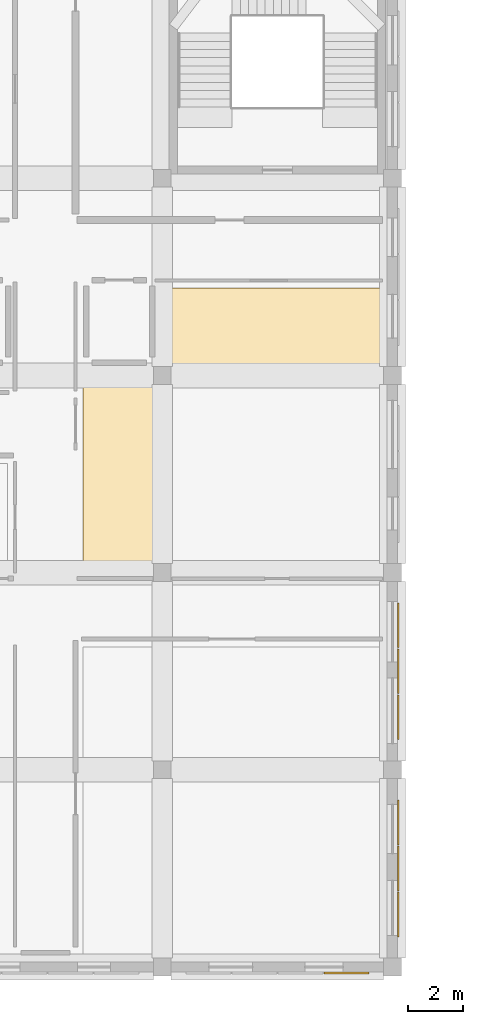
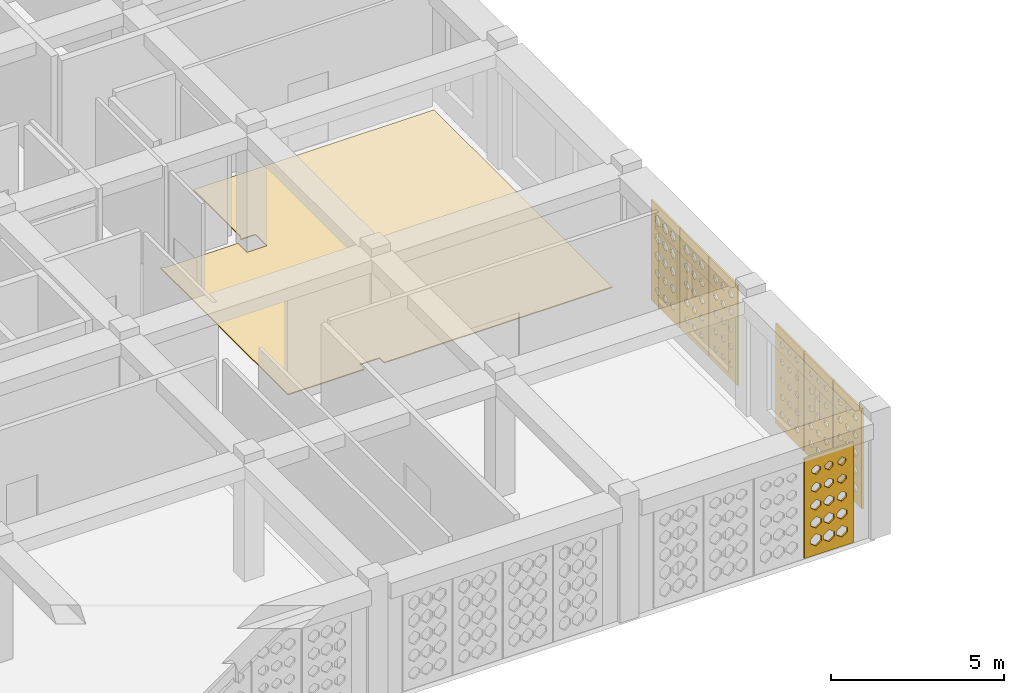
# One storey, part 23 of 47: 8 coverings.
"""IFC4 building model written with IfcOpenShell, lengths in metres."""

from ifc_helpers import new_model, si_unit, derived_unit, direction, frame, origin, place, context, subcontext, project, spatial, polyline, outline, extrude, material, layer, layer_set, type_object, element, save


model = new_model("IFC4")

# Units and contexts
model_context = context("Model", 3, precision=1e-05, world=origin(), true_north=direction((0.0, 1.0)))
body_context = subcontext(model_context, "Body", "Model", "MODEL_VIEW")
ifc_project = project(units=[si_unit("LENGTHUNIT", "METRE"), si_unit("AREAUNIT", "SQUARE_METRE"), si_unit("VOLUMEUNIT", "CUBIC_METRE"), si_unit("PLANEANGLEUNIT", "RADIAN"), si_unit("MASSUNIT", "GRAM", prefix="KILO"), derived_unit("THERMALTRANSMITTANCEUNIT", [(si_unit("POWERUNIT", "WATT"), 1), (si_unit("LENGTHUNIT", "METRE"), -2), (si_unit("THERMODYNAMICTEMPERATUREUNIT", "KELVIN"), -1)])], contexts=[model_context])

# Site, building, storey
site_placement = place(None, origin())
site = spatial("IfcSite", under=ifc_project, at=site_placement, CompositionType="ELEMENT")
building_placement = place(site_placement, origin())
building = spatial("IfcBuilding", under=site, at=building_placement, Name="Veybourne Emporium", CompositionType="ELEMENT")
storey_placement = place(building_placement, frame((0.0, 0.0, 23.39990234375)))
storey = spatial("IfcBuildingStorey", under=building, at=storey_placement, Name="L05", CompositionType="ELEMENT", Elevation=23.39990234375)

# Coverings
ifc_material_1 = material(Name="European Oak Parquet", Category="wood")
ifc_layer_1 = layer(ifc_material_1, 0.034912109375)
ifc_layer_set_1 = layer_set([ifc_layer_1], Name="European Oak Parquet")
covering_type_1 = type_object("IfcCoveringType", Name="Flooring_FLR-02", PredefinedType="FLOORING", material=ifc_layer_set_1)
covering_1_placement = place(storey_placement, origin())
element("IfcCovering", 1, at=covering_1_placement, inside=storey, type_object=covering_type_1, Name="L05 floor finish 06", PredefinedType="FLOORING", context=body_context, shape_type="SweptSolid", body=[
    extrude(outline(polyline([(39.121826171875, 21.83740234375), (39.13916015625, 21.828125), (39.1533203125, 21.8212890625), (39.17138671875, 21.81396484375), (39.18603515625, 21.80859375), (39.204833984375, 21.802978515625), (39.22021484375, 21.799072265625), (39.239501953125, 21.795166015625), (39.255126953125, 21.79296875), (39.2744140625, 21.791015625), (39.290283203125, 21.790283203125), (39.300048828125, 21.7900390625), (41.550048828125, 21.7900390625), (41.559814453125, 21.790283203125), (41.575439453125, 21.791015625), (41.594970703125, 21.79296875), (41.610595703125, 21.795166015625), (41.6298828125, 21.799072265625), (41.64501953125, 21.802978515625), (41.663818359375, 21.80859375), (41.669921875, 21.810791015625), (41.669921875, 21.27001953125), (42.330078125, 21.27001953125), (42.330078125, 21.929931640625), (41.834716796875, 21.929931640625), (41.84375, 21.94189453125), (41.8544921875, 21.958251953125), (41.86279296875, 21.9716796875), (41.871826171875, 21.989013671875), (41.878662109375, 22.003173828125), (41.88623046875, 22.021484375), (41.891357421875, 22.0361328125), (41.897216796875, 22.054931640625), (41.90087890625, 22.070068359375), (41.90478515625, 22.089599609375), (41.906982421875, 22.10498046875), (41.908935546875, 22.12451171875), (41.90966796875, 22.14013671875), (41.909912109375, 22.14990234375), (41.909912109375, 24.7900390625), (49.9599609375, 24.7900390625), (49.9599609375, 14.4599609375), (42.330078125, 14.4599609375), (42.330078125, 14.72998046875), (41.669921875, 14.72998046875), (41.669921875, 14.4599609375), (39.110107421875, 14.4599609375), (39.110107421875, 21.844482421875), (39.121826171875, 21.83740234375)])), origin(), (0.0, 0.0, 1.0), 0.03515625),
])
ifc_material_2 = material(Name="Warm-White Perforated Aluminium Screen Alloy", Category="aluminium")
ifc_layer_2 = layer(ifc_material_2, 0.06005859375)
ifc_layer_set_2 = layer_set([ifc_layer_2], Name="Warm-White Perforated Aluminium Screen Alloy")
covering_type_2 = type_object("IfcCoveringType", Name="WaveScreen_SCR-01", PredefinedType="CLADDING", material=ifc_layer_set_2)
covering_2_placement = place(storey_placement, frame((48.719970703125, -0.248046875, 1.830078125), z_axis=(0.0, 1.0, 0.0), x_axis=(-1.0, 0.0, 0.0)))
element("IfcCovering", 2, at=covering_2_placement, inside=storey, type_object=covering_type_2, Name="L05 wave-perforated aluminium screen SCR-01 (26.1)", PredefinedType="CLADDING", context=body_context, shape_type="SweptSolid", body=[
    extrude(outline(polyline([(-0.81982421875, -1.77001953125), (0.81982421875, -1.77001953125), (0.81982421875, 1.77001953125), (-0.81982421875, 1.77001953125), (-0.81982421875, -1.77001953125)]), holes=[polyline([(-0.433349609375, -1.032470703125), (-0.253662109375, -1.165283203125), (-0.253662109375, -1.314697265625), (-0.433349609375, -1.447509765625), (-0.613037109375, -1.314697265625), (-0.613037109375, -1.165283203125), (-0.433349609375, -1.032470703125)]), polyline([(-0.433349609375, -0.4267578125), (-0.26513671875, -0.55029296875), (-0.26513671875, -0.689697265625), (-0.433349609375, -0.813232421875), (-0.601318359375, -0.689697265625), (-0.601318359375, -0.55029296875), (-0.433349609375, -0.4267578125)]), polyline([(-0.433349609375, 0.178955078125), (-0.27685546875, 0.064453125), (-0.27685546875, -0.064453125), (-0.433349609375, -0.178955078125), (-0.58984375, -0.064453125), (-0.58984375, 0.064453125), (-0.433349609375, 0.178955078125)]), polyline([(-0.433349609375, 0.78515625), (-0.2880859375, 0.679443359375), (-0.2880859375, 0.560546875), (-0.433349609375, 0.454833984375), (-0.578369140625, 0.560546875), (-0.578369140625, 0.679443359375), (-0.433349609375, 0.78515625)]), polyline([(-0.433349609375, 1.39208984375), (-0.298828125, 1.294677734375), (-0.298828125, 1.185302734375), (-0.433349609375, 1.087890625), (-0.56787109375, 1.185302734375), (-0.56787109375, 1.294677734375), (-0.433349609375, 1.39208984375)]), polyline([(0.0, -1.0263671875), (0.184814453125, -1.1630859375), (0.184814453125, -1.31689453125), (0.0, -1.45361328125), (-0.184814453125, -1.31689453125), (-0.184814453125, -1.1630859375), (0.0, -1.0263671875)]), polyline([(0.0, -0.42041015625), (0.17333984375, -0.548095703125), (0.17333984375, -0.69189453125), (0.0, -0.819580078125), (-0.17333984375, -0.69189453125), (-0.17333984375, -0.548095703125), (0.0, -0.42041015625)]), polyline([(0.0, 0.185302734375), (0.16162109375, 0.066650390625), (0.16162109375, -0.066650390625), (0.0, -0.185302734375), (-0.16162109375, -0.066650390625), (-0.16162109375, 0.066650390625), (0.0, 0.185302734375)]), polyline([(0.0, 0.791259765625), (0.150146484375, 0.681640625), (0.150146484375, 0.558349609375), (0.0, 0.44873046875), (-0.150146484375, 0.558349609375), (-0.150146484375, 0.681640625), (0.0, 0.791259765625)]), polyline([(0.0, 1.397705078125), (0.13916015625, 1.296875), (0.13916015625, 1.18310546875), (0.0, 1.082275390625), (-0.13916015625, 1.18310546875), (-0.13916015625, 1.296875), (0.0, 1.397705078125)]), polyline([(0.433349609375, -1.02001953125), (0.61962890625, -1.160888671875), (0.61962890625, -1.319091796875), (0.433349609375, -1.4599609375), (0.2470703125, -1.319091796875), (0.2470703125, -1.160888671875), (0.433349609375, -1.02001953125)]), polyline([(0.433349609375, -0.4140625), (0.61181640625, -0.5458984375), (0.61181640625, -0.694091796875), (0.433349609375, -0.825927734375), (0.2548828125, -0.694091796875), (0.2548828125, -0.5458984375), (0.433349609375, -0.4140625)]), polyline([(0.433349609375, 0.19189453125), (0.60009765625, 0.069091796875), (0.60009765625, -0.069091796875), (0.433349609375, -0.19189453125), (0.266357421875, -0.069091796875), (0.266357421875, 0.069091796875), (0.433349609375, 0.19189453125)]), polyline([(0.433349609375, 0.797607421875), (0.588623046875, 0.683837890625), (0.588623046875, 0.55615234375), (0.433349609375, 0.4423828125), (0.278076171875, 0.55615234375), (0.278076171875, 0.683837890625), (0.433349609375, 0.797607421875)]), polyline([(0.433349609375, 1.40380859375), (0.577392578125, 1.298828125), (0.577392578125, 1.18115234375), (0.433349609375, 1.076416015625), (0.289306640625, 1.18115234375), (0.289306640625, 1.298828125), (0.433349609375, 1.40380859375)])]), origin(), (0.0, 0.0, 1.0), 0.06005859375),
])
covering_3_placement = place(storey_placement, frame((50.64794921875, 9.1201171875, 1.830078125), z_axis=(-1.0, 0.0, 0.0), x_axis=(0.0, -1.0, 0.0)))
element("IfcCovering", 3, at=covering_3_placement, inside=storey, type_object=covering_type_2, Name="L05 wave-perforated aluminium screen SCR-01 (28.3)", PredefinedType="CLADDING", context=body_context, shape_type="SweptSolid", body=[
    extrude(outline(polyline([(-0.81982421875, -1.77001953125), (0.81982421875, -1.77001953125), (0.81982421875, 1.77001953125), (-0.81982421875, 1.77001953125), (-0.81982421875, -1.77001953125)]), holes=[polyline([(-0.433349609375, -1.126953125), (-0.330810546875, -1.19921875), (-0.330810546875, -1.28076171875), (-0.433349609375, -1.35302734375), (-0.535888671875, -1.28076171875), (-0.535888671875, -1.19921875), (-0.433349609375, -1.126953125)]), polyline([(-0.433349609375, -0.501953125), (-0.326904296875, -0.577392578125), (-0.326904296875, -0.66259765625), (-0.433349609375, -0.738037109375), (-0.539794921875, -0.66259765625), (-0.539794921875, -0.577392578125), (-0.433349609375, -0.501953125)]), polyline([(-0.433349609375, 0.125244140625), (-0.32080078125, 0.045166015625), (-0.32080078125, -0.045166015625), (-0.433349609375, -0.125244140625), (-0.5458984375, -0.045166015625), (-0.5458984375, 0.045166015625), (-0.433349609375, 0.125244140625)]), polyline([(-0.433349609375, 0.75439453125), (-0.313232421875, 0.66845703125), (-0.313232421875, 0.571533203125), (-0.433349609375, 0.485595703125), (-0.55322265625, 0.571533203125), (-0.55322265625, 0.66845703125), (-0.433349609375, 0.75439453125)]), polyline([(-0.433349609375, 1.385498046875), (-0.30419921875, 1.29248046875), (-0.30419921875, 1.1875), (-0.433349609375, 1.094482421875), (-0.562255859375, 1.1875), (-0.562255859375, 1.29248046875), (-0.433349609375, 1.385498046875)]), polyline([(0.0, -1.12841796875), (0.101318359375, -1.199951171875), (0.101318359375, -1.280029296875), (0.0, -1.3515625), (-0.101318359375, -1.280029296875), (-0.101318359375, -1.199951171875), (0.0, -1.12841796875)]), polyline([(0.0, -0.504638671875), (0.1044921875, -0.578369140625), (0.1044921875, -0.66162109375), (0.0, -0.7353515625), (-0.1044921875, -0.66162109375), (-0.1044921875, -0.578369140625), (0.0, -0.504638671875)]), polyline([(0.0, 0.12158203125), (0.109619140625, 0.043701171875), (0.109619140625, -0.043701171875), (0.0, -0.12158203125), (-0.109619140625, -0.043701171875), (-0.109619140625, 0.043701171875), (0.0, 0.12158203125)]), polyline([(0.0, 0.75), (0.116455078125, 0.666748046875), (0.116455078125, 0.5732421875), (0.0, 0.489990234375), (-0.116455078125, 0.5732421875), (-0.116455078125, 0.666748046875), (0.0, 0.75)]), polyline([(0.0, 1.38037109375), (0.124755859375, 1.29052734375), (0.124755859375, 1.189453125), (0.0, 1.099609375), (-0.124755859375, 1.189453125), (-0.124755859375, 1.29052734375), (0.0, 1.38037109375)]), polyline([(0.433349609375, -1.12939453125), (0.53369140625, -1.2001953125), (0.53369140625, -1.27978515625), (0.433349609375, -1.3505859375), (0.3330078125, -1.27978515625), (0.3330078125, -1.2001953125), (0.433349609375, -1.12939453125)]), polyline([(0.433349609375, -0.506591796875), (0.5361328125, -0.5791015625), (0.5361328125, -0.660888671875), (0.433349609375, -0.7333984375), (0.33056640625, -0.660888671875), (0.33056640625, -0.5791015625), (0.433349609375, -0.506591796875)]), polyline([(0.433349609375, 0.11865234375), (0.540283203125, 0.042724609375), (0.540283203125, -0.042724609375), (0.433349609375, -0.11865234375), (0.326416015625, -0.042724609375), (0.326416015625, 0.042724609375), (0.433349609375, 0.11865234375)]), polyline([(0.433349609375, 0.74609375), (0.54638671875, 0.665283203125), (0.54638671875, 0.57470703125), (0.433349609375, 0.493896484375), (0.3203125, 0.57470703125), (0.3203125, 0.665283203125), (0.433349609375, 0.74609375)]), polyline([(0.433349609375, 1.37548828125), (0.55419921875, 1.288818359375), (0.55419921875, 1.191162109375), (0.433349609375, 1.1044921875), (0.3125, 1.191162109375), (0.3125, 1.288818359375), (0.433349609375, 1.37548828125)])]), origin(), (0.0, 0.0, 1.0), 0.06005859375),
])
ifc_layer_3 = layer(ifc_material_2, 0.06005859375)
ifc_layer_set_3 = layer_set([ifc_layer_3], Name="Warm-White Perforated Aluminium Screen Alloy")
covering_type_3 = type_object("IfcCoveringType", Name="WaveScreen_SCR-02", PredefinedType="CLADDING", material=ifc_layer_set_3)
covering_4_placement = place(storey_placement, frame((50.64794921875, 5.280029296875, 1.830078125), z_axis=(-1.0, 0.0, 0.0), x_axis=(0.0, -1.0, 0.0)))
element("IfcCovering", 4, at=covering_4_placement, inside=storey, type_object=covering_type_3, Name="L05 wave-perforated aluminium screen SCR-02 (27.1)", PredefinedType="CLADDING", context=body_context, shape_type="SweptSolid", body=[
    extrude(outline(polyline([(-0.81982421875, -1.77001953125), (0.81982421875, -1.77001953125), (0.81982421875, 1.77001953125), (-0.81982421875, 1.77001953125), (-0.81982421875, -1.77001953125)]), holes=[polyline([(-0.433349609375, -1.122802734375), (-0.327392578125, -1.19775390625), (-0.327392578125, -1.2822265625), (-0.433349609375, -1.357177734375), (-0.539306640625, -1.2822265625), (-0.539306640625, -1.19775390625), (-0.433349609375, -1.122802734375)]), polyline([(-0.433349609375, -0.507568359375), (-0.331298828125, -0.57958984375), (-0.331298828125, -0.660400390625), (-0.433349609375, -0.732421875), (-0.535400390625, -0.660400390625), (-0.535400390625, -0.57958984375), (-0.433349609375, -0.507568359375)]), polyline([(-0.433349609375, 0.110107421875), (-0.3330078125, 0.039794921875), (-0.3330078125, -0.039794921875), (-0.433349609375, -0.110107421875), (-0.533447265625, -0.039794921875), (-0.533447265625, 0.039794921875), (-0.433349609375, 0.110107421875)]), polyline([(-0.433349609375, 0.73046875), (-0.3330078125, 0.65966796875), (-0.3330078125, 0.580322265625), (-0.433349609375, 0.509521484375), (-0.53369140625, 0.580322265625), (-0.53369140625, 0.65966796875), (-0.433349609375, 0.73046875)]), polyline([(-0.433349609375, 1.35302734375), (-0.330810546875, 1.28076171875), (-0.330810546875, 1.19921875), (-0.433349609375, 1.126953125), (-0.535888671875, 1.19921875), (-0.535888671875, 1.28076171875), (-0.433349609375, 1.35302734375)]), polyline([(0.0, -1.119873046875), (0.1083984375, -1.19677734375), (0.1083984375, -1.283203125), (0.0, -1.360107421875), (-0.1083984375, -1.283203125), (-0.1083984375, -1.19677734375), (0.0, -1.119873046875)]), polyline([(0.0, -0.505615234375), (0.103515625, -0.578857421875), (0.103515625, -0.6611328125), (0.0, -0.734375), (-0.103515625, -0.6611328125), (-0.103515625, -0.578857421875), (0.0, -0.505615234375)]), polyline([(0.0, 0.111083984375), (0.100830078125, 0.039794921875), (0.100830078125, -0.039794921875), (0.0, -0.111083984375), (-0.100830078125, -0.039794921875), (-0.100830078125, 0.039794921875), (0.0, 0.111083984375)]), polyline([(0.0, 0.72998046875), (0.10009765625, 0.65966796875), (0.10009765625, 0.580322265625), (0.0, 0.510009765625), (-0.10009765625, 0.580322265625), (-0.10009765625, 0.65966796875), (0.0, 0.72998046875)]), polyline([(0.0, 1.3515625), (0.101318359375, 1.2802734375), (0.101318359375, 1.19970703125), (0.0, 1.12841796875), (-0.101318359375, 1.19970703125), (-0.101318359375, 1.2802734375), (0.0, 1.3515625)]), polyline([(0.433349609375, -1.11669921875), (0.544189453125, -1.195556640625), (0.544189453125, -1.284423828125), (0.433349609375, -1.36328125), (0.322509765625, -1.284423828125), (0.322509765625, -1.195556640625), (0.433349609375, -1.11669921875)]), polyline([(0.433349609375, -0.50341796875), (0.538818359375, -0.577880859375), (0.538818359375, -0.662109375), (0.433349609375, -0.73681640625), (0.327880859375, -0.662109375), (0.327880859375, -0.577880859375), (0.433349609375, -0.50341796875)]), polyline([(0.433349609375, 0.1123046875), (0.53515625, 0.040283203125), (0.53515625, -0.040283203125), (0.433349609375, -0.1123046875), (0.33154296875, -0.040283203125), (0.33154296875, 0.040283203125), (0.433349609375, 0.1123046875)]), polyline([(0.433349609375, 0.72998046875), (0.533447265625, 0.65966796875), (0.533447265625, 0.580322265625), (0.433349609375, 0.510009765625), (0.333251953125, 0.580322265625), (0.333251953125, 0.65966796875), (0.433349609375, 0.72998046875)]), polyline([(0.433349609375, 1.3505859375), (0.53369140625, 1.27978515625), (0.53369140625, 1.2001953125), (0.433349609375, 1.12939453125), (0.3330078125, 1.2001953125), (0.3330078125, 1.27978515625), (0.433349609375, 1.3505859375)])]), origin(), (0.0, 0.0, 1.0), 0.06005859375),
])
ifc_layer_4 = layer(ifc_material_2, 0.06005859375)
ifc_layer_set_4 = layer_set([ifc_layer_4], Name="Warm-White Perforated Aluminium Screen Alloy")
covering_type_4 = type_object("IfcCoveringType", Name="WaveScreen_SCR-03", PredefinedType="CLADDING", material=ifc_layer_set_4)
covering_5_placement = place(storey_placement, frame((50.64794921875, 3.60009765625, 1.830078125), z_axis=(-1.0, 0.0, 0.0), x_axis=(0.0, -1.0, 0.0)))
element("IfcCovering", 5, at=covering_5_placement, inside=storey, type_object=covering_type_4, Name="L05 wave-perforated aluminium screen SCR-03 (27.2)", PredefinedType="CLADDING", context=body_context, shape_type="SweptSolid", body=[
    extrude(outline(polyline([(-0.81982421875, -1.77001953125), (0.81982421875, -1.77001953125), (0.81982421875, 1.77001953125), (-0.81982421875, 1.77001953125), (-0.81982421875, -1.77001953125)]), holes=[polyline([(-0.433349609375, -1.109375), (-0.31640625, -1.19287109375), (-0.31640625, -1.287109375), (-0.433349609375, -1.37060546875), (-0.55029296875, -1.287109375), (-0.55029296875, -1.19287109375), (-0.433349609375, -1.109375)]), polyline([(-0.433349609375, -0.497802734375), (-0.323486328125, -0.575927734375), (-0.323486328125, -0.6640625), (-0.433349609375, -0.7421875), (-0.543212890625, -0.6640625), (-0.543212890625, -0.575927734375), (-0.433349609375, -0.497802734375)]), polyline([(-0.433349609375, 0.11572265625), (-0.32861328125, 0.041748046875), (-0.32861328125, -0.041748046875), (-0.433349609375, -0.11572265625), (-0.5380859375, -0.041748046875), (-0.5380859375, 0.041748046875), (-0.433349609375, 0.11572265625)]), polyline([(-0.433349609375, 0.731689453125), (-0.331787109375, 0.66015625), (-0.331787109375, 0.579833984375), (-0.433349609375, 0.50830078125), (-0.53466796875, 0.579833984375), (-0.53466796875, 0.66015625), (-0.433349609375, 0.731689453125)]), polyline([(-0.433349609375, 1.35009765625), (-0.333251953125, 1.279541015625), (-0.333251953125, 1.200439453125), (-0.433349609375, 1.1298828125), (-0.533447265625, 1.200439453125), (-0.533447265625, 1.279541015625), (-0.433349609375, 1.35009765625)]), polyline([(0.0, -1.104736328125), (0.12060546875, -1.19140625), (0.12060546875, -1.288818359375), (0.0, -1.375244140625), (-0.12060546875, -1.288818359375), (-0.12060546875, -1.19140625), (0.0, -1.104736328125)]), polyline([(0.0, -0.494140625), (0.11279296875, -0.57470703125), (0.11279296875, -0.665283203125), (0.0, -0.745849609375), (-0.11279296875, -0.665283203125), (-0.11279296875, -0.57470703125), (0.0, -0.494140625)]), polyline([(0.0, 0.118408203125), (0.10693359375, 0.04248046875), (0.10693359375, -0.04248046875), (0.0, -0.118408203125), (-0.10693359375, -0.04248046875), (-0.10693359375, 0.04248046875), (0.0, 0.118408203125)]), polyline([(0.0, 0.733154296875), (0.102783203125, 0.660888671875), (0.102783203125, 0.5791015625), (0.0, 0.5068359375), (-0.102783203125, 0.5791015625), (-0.102783203125, 0.660888671875), (0.0, 0.733154296875)]), polyline([(0.0, 1.3505859375), (0.100341796875, 1.27978515625), (0.100341796875, 1.2001953125), (0.0, 1.12939453125), (-0.100341796875, 1.2001953125), (-0.100341796875, 1.27978515625), (0.0, 1.3505859375)]), polyline([(0.433349609375, -1.10009765625), (0.557861328125, -1.189697265625), (0.557861328125, -1.290283203125), (0.433349609375, -1.3798828125), (0.308837890625, -1.290283203125), (0.308837890625, -1.189697265625), (0.433349609375, -1.10009765625)]), polyline([(0.433349609375, -0.490234375), (0.549560546875, -0.5732421875), (0.549560546875, -0.666748046875), (0.433349609375, -0.749755859375), (0.317138671875, -0.666748046875), (0.317138671875, -0.5732421875), (0.433349609375, -0.490234375)]), polyline([(0.433349609375, 0.121337890625), (0.542724609375, 0.043701171875), (0.542724609375, -0.043701171875), (0.433349609375, -0.121337890625), (0.323974609375, -0.043701171875), (0.323974609375, 0.043701171875), (0.433349609375, 0.121337890625)]), polyline([(0.433349609375, 0.7353515625), (0.53759765625, 0.66162109375), (0.53759765625, 0.57861328125), (0.433349609375, 0.504638671875), (0.3291015625, 0.57861328125), (0.3291015625, 0.66162109375), (0.433349609375, 0.7353515625)]), polyline([(0.433349609375, 1.351318359375), (0.534423828125, 1.280029296875), (0.534423828125, 1.199951171875), (0.433349609375, 1.128662109375), (0.332275390625, 1.199951171875), (0.332275390625, 1.280029296875), (0.433349609375, 1.351318359375)])]), origin(), (0.0, 0.0, 1.0), 0.06005859375),
])
covering_6_placement = place(storey_placement, frame((50.64794921875, 12.47998046875, 1.830078125), z_axis=(-1.0, 0.0, 0.0), x_axis=(0.0, -1.0, 0.0)))
element("IfcCovering", 6, at=covering_6_placement, inside=storey, type_object=covering_type_4, Name="L05 wave-perforated aluminium screen SCR-03 (28.1)", PredefinedType="CLADDING", context=body_context, shape_type="SweptSolid", body=[
    extrude(outline(polyline([(-0.81982421875, -1.77001953125), (0.81982421875, -1.77001953125), (0.81982421875, 1.77001953125), (-0.81982421875, 1.77001953125), (-0.81982421875, -1.77001953125)]), holes=[polyline([(-0.433349609375, -1.100341796875), (-0.30908203125, -1.189697265625), (-0.30908203125, -1.290283203125), (-0.433349609375, -1.379638671875), (-0.5576171875, -1.290283203125), (-0.5576171875, -1.189697265625), (-0.433349609375, -1.100341796875)]), polyline([(-0.433349609375, -0.46875), (-0.299560546875, -0.5654296875), (-0.299560546875, -0.674560546875), (-0.433349609375, -0.771240234375), (-0.567138671875, -0.674560546875), (-0.567138671875, -0.5654296875), (-0.433349609375, -0.46875)]), polyline([(-0.433349609375, 0.164306640625), (-0.288818359375, 0.05908203125), (-0.288818359375, -0.05908203125), (-0.433349609375, -0.164306640625), (-0.57763671875, -0.05908203125), (-0.57763671875, 0.05908203125), (-0.433349609375, 0.164306640625)]), polyline([(-0.433349609375, 0.798095703125), (-0.277587890625, 0.68408203125), (-0.277587890625, 0.555908203125), (-0.433349609375, 0.44189453125), (-0.589111328125, 0.555908203125), (-0.589111328125, 0.68408203125), (-0.433349609375, 0.798095703125)]), polyline([(-0.433349609375, 1.432373046875), (-0.26611328125, 1.30908203125), (-0.26611328125, 1.1708984375), (-0.433349609375, 1.047607421875), (-0.6005859375, 1.1708984375), (-0.6005859375, 1.30908203125), (-0.433349609375, 1.432373046875)]), polyline([(0.0, -1.105224609375), (0.120361328125, -1.19140625), (0.120361328125, -1.28857421875), (0.0, -1.374755859375), (-0.120361328125, -1.28857421875), (-0.120361328125, -1.19140625), (0.0, -1.105224609375)]), polyline([(0.0, -0.47412109375), (0.12939453125, -0.5673828125), (0.12939453125, -0.672607421875), (0.0, -0.765869140625), (-0.12939453125, -0.672607421875), (-0.12939453125, -0.5673828125), (0.0, -0.47412109375)]), polyline([(0.0, 0.158203125), (0.139404296875, 0.056884765625), (0.139404296875, -0.056884765625), (0.0, -0.158203125), (-0.139404296875, -0.056884765625), (-0.139404296875, 0.056884765625), (0.0, 0.158203125)]), polyline([(0.0, 0.791748046875), (0.150390625, 0.681884765625), (0.150390625, 0.55810546875), (0.0, 0.4482421875), (-0.150390625, 0.55810546875), (-0.150390625, 0.681884765625), (0.0, 0.791748046875)]), polyline([(0.0, 1.42578125), (0.162109375, 1.306884765625), (0.162109375, 1.173095703125), (0.0, 1.05419921875), (-0.162109375, 1.173095703125), (-0.162109375, 1.306884765625), (0.0, 1.42578125)]), polyline([(0.433349609375, -1.109619140625), (0.550048828125, -1.193115234375), (0.550048828125, -1.286865234375), (0.433349609375, -1.370361328125), (0.316650390625, -1.286865234375), (0.316650390625, -1.193115234375), (0.433349609375, -1.109619140625)]), polyline([(0.433349609375, -0.479248046875), (0.558349609375, -0.5693359375), (0.558349609375, -0.670654296875), (0.433349609375, -0.7607421875), (0.30810546875, -0.670654296875), (0.30810546875, -0.5693359375), (0.433349609375, -0.479248046875)]), polyline([(0.433349609375, 0.152587890625), (0.568115234375, 0.054931640625), (0.568115234375, -0.054931640625), (0.433349609375, -0.152587890625), (0.298583984375, -0.054931640625), (0.298583984375, 0.054931640625), (0.433349609375, 0.152587890625)]), polyline([(0.433349609375, 0.78564453125), (0.578857421875, 0.6796875), (0.578857421875, 0.560302734375), (0.433349609375, 0.454345703125), (0.287841796875, 0.560302734375), (0.287841796875, 0.6796875), (0.433349609375, 0.78564453125)]), polyline([(0.433349609375, 1.41943359375), (0.590087890625, 1.3046875), (0.590087890625, 1.17529296875), (0.433349609375, 1.060546875), (0.276611328125, 1.17529296875), (0.276611328125, 1.3046875), (0.433349609375, 1.41943359375)])]), origin(), (0.0, 0.0, 1.0), 0.06005859375),
])
ifc_layer_5 = layer(ifc_material_2, 0.06005859375)
ifc_layer_set_5 = layer_set([ifc_layer_5], Name="Warm-White Perforated Aluminium Screen Alloy")
covering_type_5 = type_object("IfcCoveringType", Name="WaveScreen_SCR-04", PredefinedType="CLADDING", material=ifc_layer_set_5)
covering_7_placement = place(storey_placement, frame((50.64794921875, 1.919921875, 1.830078125), z_axis=(-1.0, 0.0, 0.0), x_axis=(0.0, -1.0, 0.0)))
element("IfcCovering", 7, at=covering_7_placement, inside=storey, type_object=covering_type_5, Name="L05 wave-perforated aluminium screen SCR-04 (27.3)", PredefinedType="CLADDING", context=body_context, shape_type="SweptSolid", body=[
    extrude(outline(polyline([(-0.81982421875, -1.77001953125), (0.81982421875, -1.77001953125), (0.81982421875, 1.77001953125), (-0.81982421875, 1.77001953125), (-0.81982421875, -1.77001953125)]), holes=[polyline([(-0.433349609375, -1.090087890625), (-0.30078125, -1.18603515625), (-0.30078125, -1.2939453125), (-0.433349609375, -1.389892578125), (-0.56591796875, -1.2939453125), (-0.56591796875, -1.18603515625), (-0.433349609375, -1.090087890625)]), polyline([(-0.433349609375, -0.481689453125), (-0.310302734375, -0.5703125), (-0.310302734375, -0.669921875), (-0.433349609375, -0.75830078125), (-0.556396484375, -0.669921875), (-0.556396484375, -0.5703125), (-0.433349609375, -0.481689453125)]), polyline([(-0.433349609375, 0.12841796875), (-0.318359375, 0.046142578125), (-0.318359375, -0.046142578125), (-0.433349609375, -0.12841796875), (-0.54833984375, -0.046142578125), (-0.54833984375, 0.046142578125), (-0.433349609375, 0.12841796875)]), polyline([(-0.433349609375, 0.740234375), (-0.324951171875, 0.663330078125), (-0.324951171875, 0.57666015625), (-0.433349609375, 0.499755859375), (-0.541748046875, 0.57666015625), (-0.541748046875, 0.663330078125), (-0.433349609375, 0.740234375)]), polyline([(-0.433349609375, 1.3544921875), (-0.32958984375, 1.28125), (-0.32958984375, 1.19873046875), (-0.433349609375, 1.12548828125), (-0.537109375, 1.19873046875), (-0.537109375, 1.28125), (-0.433349609375, 1.3544921875)]), polyline([(0.0, -1.084716796875), (0.13720703125, -1.18408203125), (0.13720703125, -1.2958984375), (0.0, -1.3955078125), (-0.13720703125, -1.2958984375), (-0.13720703125, -1.18408203125), (0.0, -1.084716796875)]), polyline([(0.0, -0.476806640625), (0.127197265625, -0.568359375), (0.127197265625, -0.671630859375), (0.0, -0.76318359375), (-0.127197265625, -0.671630859375), (-0.127197265625, -0.568359375), (0.0, -0.476806640625)]), polyline([(0.0, 0.132568359375), (0.118408203125, 0.047607421875), (0.118408203125, -0.047607421875), (0.0, -0.132568359375), (-0.118408203125, -0.047607421875), (-0.118408203125, 0.047607421875), (0.0, 0.132568359375)]), polyline([(0.0, 0.74365234375), (0.111083984375, 0.66455078125), (0.111083984375, 0.575439453125), (0.0, 0.496337890625), (-0.111083984375, 0.575439453125), (-0.111083984375, 0.66455078125), (0.0, 0.74365234375)]), polyline([(0.0, 1.356689453125), (0.105712890625, 1.281982421875), (0.105712890625, 1.197998046875), (0.0, 1.123291015625), (-0.105712890625, 1.197998046875), (-0.105712890625, 1.281982421875), (0.0, 1.356689453125)]), polyline([(0.433349609375, -1.07861328125), (0.5751953125, -1.181884765625), (0.5751953125, -1.298095703125), (0.433349609375, -1.4013671875), (0.29150390625, -1.298095703125), (0.29150390625, -1.181884765625), (0.433349609375, -1.07861328125)]), polyline([(0.433349609375, -0.471435546875), (0.56494140625, -0.56640625), (0.56494140625, -0.673583984375), (0.433349609375, -0.7685546875), (0.3017578125, -0.673583984375), (0.3017578125, -0.56640625), (0.433349609375, -0.471435546875)]), polyline([(0.433349609375, 0.13720703125), (0.5556640625, 0.04931640625), (0.5556640625, -0.04931640625), (0.433349609375, -0.13720703125), (0.31103515625, -0.04931640625), (0.31103515625, 0.04931640625), (0.433349609375, 0.13720703125)]), polyline([(0.433349609375, 0.747314453125), (0.547607421875, 0.666015625), (0.547607421875, 0.57421875), (0.433349609375, 0.49267578125), (0.319091796875, 0.57421875), (0.319091796875, 0.666015625), (0.433349609375, 0.747314453125)]), polyline([(0.433349609375, 1.359619140625), (0.541259765625, 1.283203125), (0.541259765625, 1.197021484375), (0.433349609375, 1.120361328125), (0.325439453125, 1.197021484375), (0.325439453125, 1.283203125), (0.433349609375, 1.359619140625)])]), origin(), (0.0, 0.0, 1.0), 0.06005859375),
])
covering_8_placement = place(storey_placement, frame((50.64794921875, 10.800048828125, 1.830078125), z_axis=(-1.0, 0.0, 0.0), x_axis=(0.0, -1.0, 0.0)))
element("IfcCovering", 8, at=covering_8_placement, inside=storey, type_object=covering_type_5, Name="L05 wave-perforated aluminium screen SCR-04 (28.2)", PredefinedType="CLADDING", context=body_context, shape_type="SweptSolid", body=[
    extrude(outline(polyline([(-0.81982421875, -1.77001953125), (0.81982421875, -1.77001953125), (0.81982421875, 1.77001953125), (-0.81982421875, 1.77001953125), (-0.81982421875, -1.77001953125)]), holes=[polyline([(-0.433349609375, -1.116943359375), (-0.322509765625, -1.19580078125), (-0.322509765625, -1.2841796875), (-0.433349609375, -1.363037109375), (-0.544189453125, -1.2841796875), (-0.544189453125, -1.19580078125), (-0.433349609375, -1.116943359375)]), polyline([(-0.433349609375, -0.488037109375), (-0.3154296875, -0.572509765625), (-0.3154296875, -0.66748046875), (-0.433349609375, -0.751953125), (-0.55126953125, -0.66748046875), (-0.55126953125, -0.572509765625), (-0.433349609375, -0.488037109375)]), polyline([(-0.433349609375, 0.142333984375), (-0.306884765625, 0.05126953125), (-0.306884765625, -0.05126953125), (-0.433349609375, -0.142333984375), (-0.559814453125, -0.05126953125), (-0.559814453125, 0.05126953125), (-0.433349609375, 0.142333984375)]), polyline([(-0.433349609375, 0.7744140625), (-0.296875, 0.675537109375), (-0.296875, 0.564453125), (-0.433349609375, 0.465576171875), (-0.56982421875, 0.564453125), (-0.56982421875, 0.675537109375), (-0.433349609375, 0.7744140625)]), polyline([(-0.433349609375, 1.40771484375), (-0.2861328125, 1.30029296875), (-0.2861328125, 1.1796875), (-0.433349609375, 1.072265625), (-0.58056640625, 1.1796875), (-0.58056640625, 1.30029296875), (-0.433349609375, 1.40771484375)]), polyline([(0.0, -1.1201171875), (0.108154296875, -1.197021484375), (0.108154296875, -1.283203125), (0.0, -1.35986328125), (-0.108154296875, -1.283203125), (-0.108154296875, -1.197021484375), (0.0, -1.1201171875)]), polyline([(0.0, -0.4921875), (0.114501953125, -0.573974609375), (0.114501953125, -0.666015625), (0.0, -0.747802734375), (-0.114501953125, -0.666015625), (-0.114501953125, -0.573974609375), (0.0, -0.4921875)]), polyline([(0.0, 0.137451171875), (0.12255859375, 0.049560546875), (0.12255859375, -0.049560546875), (0.0, -0.137451171875), (-0.12255859375, -0.049560546875), (-0.12255859375, 0.049560546875), (0.0, 0.137451171875)]), polyline([(0.0, 0.768798828125), (0.1318359375, 0.673583984375), (0.1318359375, 0.56640625), (0.0, 0.47119140625), (-0.1318359375, 0.56640625), (-0.1318359375, 0.673583984375), (0.0, 0.768798828125)]), polyline([(0.0, 1.401611328125), (0.142333984375, 1.298095703125), (0.142333984375, 1.181884765625), (0.0, 1.078369140625), (-0.142333984375, 1.181884765625), (-0.142333984375, 1.298095703125), (0.0, 1.401611328125)]), polyline([(0.433349609375, -1.123046875), (0.5390625, -1.197998046875), (0.5390625, -1.281982421875), (0.433349609375, -1.35693359375), (0.32763671875, -1.281982421875), (0.32763671875, -1.197998046875), (0.433349609375, -1.123046875)]), polyline([(0.433349609375, -0.49609375), (0.544677734375, -0.575439453125), (0.544677734375, -0.66455078125), (0.433349609375, -0.743896484375), (0.322021484375, -0.66455078125), (0.322021484375, -0.575439453125), (0.433349609375, -0.49609375)]), polyline([(0.433349609375, 0.1328125), (0.552001953125, 0.0478515625), (0.552001953125, -0.0478515625), (0.433349609375, -0.1328125), (0.314697265625, -0.0478515625), (0.314697265625, 0.0478515625), (0.433349609375, 0.1328125)]), polyline([(0.433349609375, 0.763671875), (0.560791015625, 0.671630859375), (0.560791015625, 0.568359375), (0.433349609375, 0.476318359375), (0.305908203125, 0.568359375), (0.305908203125, 0.671630859375), (0.433349609375, 0.763671875)]), polyline([(0.433349609375, 1.395751953125), (0.57080078125, 1.296142578125), (0.57080078125, 1.183837890625), (0.433349609375, 1.084228515625), (0.2958984375, 1.183837890625), (0.2958984375, 1.296142578125), (0.433349609375, 1.395751953125)])]), origin(), (0.0, 0.0, 1.0), 0.06005859375),
])

save(model, "model.ifc")
